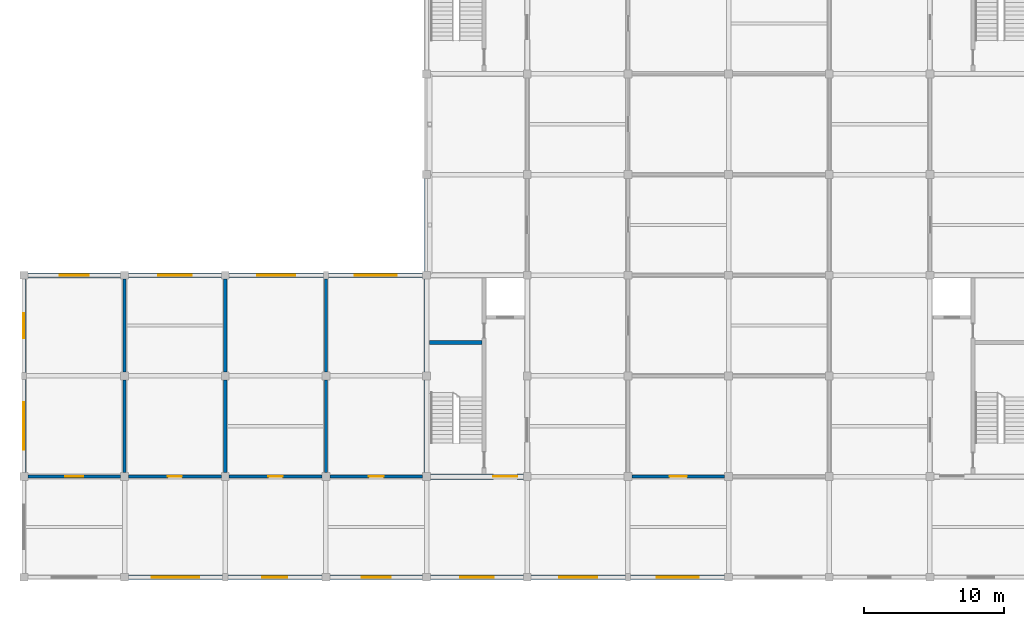
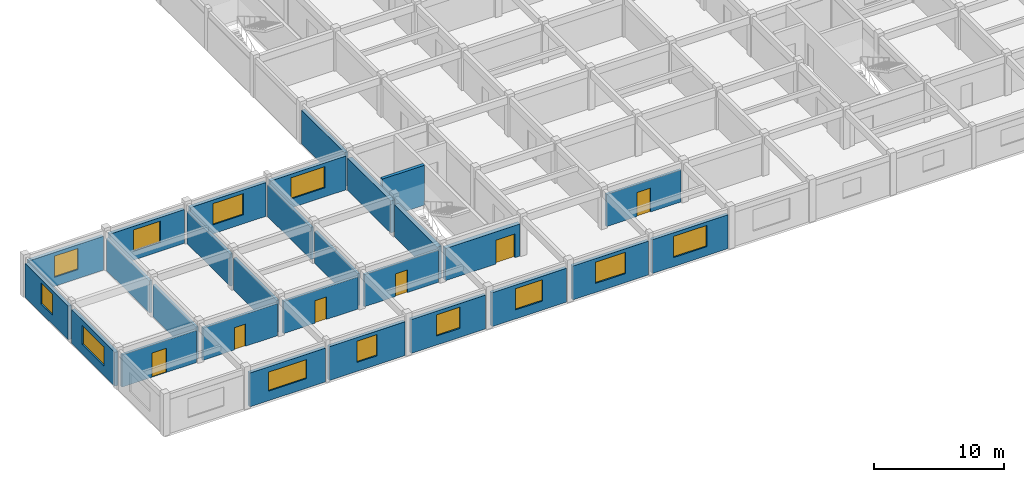
# One storey, part 5 of 10: 28 walls, 12 windows, 6 doors, 18 openings.
"""IFC4 building model written with IfcOpenShell, lengths in metres."""

from ifc_helpers import new_model, si_unit, direction, frame, frame_2d, origin, place, context, subcontext, project, spatial, rectangle, extrude, material, layer, layer_set, type_object, element, fill, save


model = new_model("IFC4")

# Units and contexts
model_context = context("Model", 3, precision=1e-05, world=origin(), true_north=direction((0.0, 1.0)))
body_context = subcontext(model_context, "Body", "Model", "MODEL_VIEW")
ifc_project = project(units=[si_unit("LENGTHUNIT", "METRE"), si_unit("AREAUNIT", "SQUARE_METRE"), si_unit("VOLUMEUNIT", "CUBIC_METRE"), si_unit("PLANEANGLEUNIT", "RADIAN"), si_unit("MASSUNIT", "GRAM", prefix="KILO")], contexts=[model_context])

# Site, building, storey
site_placement = place(None, origin())
site = spatial("IfcSite", under=ifc_project, at=site_placement, CompositionType="ELEMENT")
building_placement = place(site_placement, origin())
building = spatial("IfcBuilding", under=site, at=building_placement, Name="Cendaluz Park School", CompositionType="ELEMENT")
storey_placement = place(building_placement, frame((0.0, 0.0, 34.800048828125)))
storey = spatial("IfcBuildingStorey", under=building, at=storey_placement, Name="L08", CompositionType="ELEMENT", Elevation=34.800048828125)

# Wall, opening, door
ifc_material_1 = material(Name="Gypsum Plasterboard on Cold-Formed Stud", Category="gypsum")
ifc_layer_1 = layer(ifc_material_1, 0.199951171875)
ifc_layer_set_1 = layer_set([ifc_layer_1], Name="Gypsum Plasterboard on Cold-Formed Stud")
wall_type_1 = type_object("IfcWallType", Name="W-AC20", PredefinedType="PARTITIONING", material=ifc_layer_set_1)
wall_1_placement = place(storey_placement, frame((57.8798828125, 14.39990234375, 0.0), z_axis=(0.0, 0.0, 1.0), x_axis=(1.0, 0.0, 0.0)))
wall_1 = element("IfcWall", 1, at=wall_1_placement, inside=storey, type_object=wall_type_1, Name="WL-FI-BM8", PredefinedType="PARTITIONING", context=body_context, shape_type="SweptSolid", body=[
    extrude(rectangle(XDim=6.64013671875, YDim=0.199951171875, at=frame_2d((3.320068359375, 0.0))), origin(), (0.0, 0.0, 1.0), 3.030029296875),
])
opening_1_placement = place(wall_1_placement, frame((2.800048828125, 0.0, 0.0)))
opening_1 = element("IfcOpeningElement", 2, at=opening_1_placement, cuts=wall_1, Name="Opening DCL-03", PredefinedType="OPENING", context=body_context, shape_type="SweptSolid", body=[
    extrude(rectangle(XDim=1.0400390625, YDim=2.139892578125, at=frame_2d((0.52001953125, 1.06982421875))), frame((0.0, 0.112060546875, 0.0), z_axis=(0.0, -1.0, 0.0), x_axis=(1.0, 0.0, 0.0)), (0.0, 0.0, 1.0), 0.223876953125),
])
ifc_material_2 = material(Name="Solid Core Hardwood", Category="wood")
door_type_1 = type_object("IfcDoorType", Name="DCL-03", OperationType="NOTDEFINED", PredefinedType="DOOR", material=ifc_material_2)
door_1_placement = place(opening_1_placement, origin())
door_1 = element("IfcDoor", 3, at=door_1_placement, inside=storey, type_object=door_type_1, Name="D-L08-022", OperationType="SINGLE_SWING_LEFT", OverallHeight=2.139892578125, OverallWidth=1.0400390625, PredefinedType="DOOR", context=body_context, shape_type="SweptSolid", body=[
    extrude(rectangle(XDim=1.0400390625, YDim=2.139892578125, at=frame_2d((0.52001953125, 1.06982421875))), frame((0.0, 0.02490234375, 0.0), z_axis=(0.0, -1.0, 0.0), x_axis=(1.0, 0.0, 0.0)), (0.0, 0.0, 1.0), 0.050048828125),
])
fill(opening_1, door_1)

wall_2_placement = place(storey_placement, frame((79.47998046875, 14.39990234375, 0.0), z_axis=(0.0, 0.0, 1.0), x_axis=(1.0, 0.0, 0.0)))
wall_2 = element("IfcWall", 4, at=wall_2_placement, inside=storey, type_object=wall_type_1, Name="WL-FI-BN9", PredefinedType="PARTITIONING", context=body_context, shape_type="SweptSolid", body=[
    extrude(rectangle(XDim=6.64013671875, YDim=0.199951171875, at=frame_2d((3.320068359375, 0.0))), origin(), (0.0, 0.0, 1.0), 3.030029296875),
])
opening_2_placement = place(wall_2_placement, frame((2.699951171875, 0.0, 0.0)))
opening_2 = element("IfcOpeningElement", 5, at=opening_2_placement, cuts=wall_2, Name="Opening DCL-09", PredefinedType="OPENING", context=body_context, shape_type="SweptSolid", body=[
    extrude(rectangle(XDim=1.239990234375, YDim=2.260009765625, at=frame_2d((0.6201171875, 1.1298828125))), frame((0.0, 0.112060546875, 0.0), z_axis=(0.0, -1.0, 0.0), x_axis=(1.0, 0.0, 0.0)), (0.0, 0.0, 1.0), 0.223876953125),
])
door_type_2 = type_object("IfcDoorType", Name="DCL-09", OperationType="NOTDEFINED", PredefinedType="DOOR", material=ifc_material_2)
door_2_placement = place(opening_2_placement, origin())
door_2 = element("IfcDoor", 6, at=door_2_placement, inside=storey, type_object=door_type_2, Name="D-L08-028", OperationType="SINGLE_SWING_LEFT", OverallHeight=2.260009765625, OverallWidth=1.239990234375, PredefinedType="DOOR", context=body_context, shape_type="SweptSolid", body=[
    extrude(rectangle(XDim=1.239990234375, YDim=2.260009765625, at=frame_2d((0.6201171875, 1.1298828125))), frame((0.0, 0.02490234375, 0.0), z_axis=(0.0, -1.0, 0.0), x_axis=(1.0, 0.0, 0.0)), (0.0, 0.0, 1.0), 0.050048828125),
])
fill(opening_2, door_2)

# Wall, opening, window
ifc_material_3 = material(Name="Cross-laminated timber CLT C24", Category="wood")
ifc_layer_2 = layer(ifc_material_3, 0.300048828125)
ifc_layer_set_2 = layer_set([ifc_layer_2], Name="Cross-laminated timber CLT C24")
wall_type_2 = type_object("IfcWallType", Name="W-EX30", PredefinedType="SOLIDWALL", material=ifc_layer_set_2)
wall_3_placement = place(storey_placement, frame((36.0, 14.679931640625, 0.0), z_axis=(0.0, 0.0, 1.0), x_axis=(0.0, 1.0, 0.0)))
wall_3 = element("IfcWall", 7, at=wall_3_placement, inside=storey, type_object=wall_type_2, Name="WL-FI-AA2", PredefinedType="SOLIDWALL", context=body_context, shape_type="SweptSolid", body=[
    extrude(rectangle(XDim=6.66015625, YDim=0.300048828125, at=frame_2d((3.330078125, 0.0))), origin(), (0.0, 0.0, 1.0), 3.18994140625),
])
opening_3_placement = place(wall_3_placement, frame((1.6298828125, 0.0, 0.89990234375)))
opening_3 = element("IfcOpeningElement", 8, at=opening_3_placement, cuts=wall_3, Name="Opening WN-09", PredefinedType="OPENING", context=body_context, shape_type="SweptSolid", body=[
    extrude(rectangle(XDim=3.39990234375, YDim=1.800048828125, at=frame_2d((1.699951171875, 0.89990234375))), frame((0.0, 0.162109375, 0.0), z_axis=(0.0, -1.0, 0.0), x_axis=(1.0, 0.0, 0.0)), (0.0, 0.0, 1.0), 0.323974609375),
])
ifc_material_4 = material(Name="Tempered Low-E Double Glazing", Category="glass")
window_type_1 = type_object("IfcWindowType", Name="WN-09", PartitioningType="SINGLE_PANEL", PredefinedType="WINDOW", material=ifc_material_4)
window_1_placement = place(opening_3_placement, origin())
window_1 = element("IfcWindow", 9, at=window_1_placement, inside=storey, type_object=window_type_1, Name="WN-L08-003", OverallHeight=1.800048828125, OverallWidth=3.39990234375, PartitioningType="SINGLE_PANEL", PredefinedType="WINDOW", context=body_context, shape_type="SweptSolid", body=[
    extrude(rectangle(XDim=3.39990234375, YDim=1.800048828125, at=frame_2d((1.699951171875, 0.89990234375))), frame((0.0, 0.030029296875, 0.0), z_axis=(0.0, -1.0, 0.0), x_axis=(1.0, 0.0, 0.0)), (0.0, 0.0, 1.0), 0.06005859375),
])
fill(opening_3, window_1)

wall_4_placement = place(storey_placement, frame((36.280029296875, 28.800048828125, 0.0), z_axis=(0.0, 0.0, 1.0), x_axis=(1.0, 0.0, 0.0)))
wall_4 = element("IfcWall", 10, at=wall_4_placement, inside=storey, type_object=wall_type_2, Name="WL-FI-AA3", PredefinedType="SOLIDWALL", context=body_context, shape_type="SweptSolid", body=[
    extrude(rectangle(XDim=6.639892578125, YDim=0.300048828125, at=frame_2d((3.31982421875, 0.0))), origin(), (0.0, 0.0, 1.0), 3.18994140625),
])
opening_4_placement = place(wall_4_placement, frame((2.27001953125, 0.0, 0.85009765625)))
opening_4 = element("IfcOpeningElement", 11, at=opening_4_placement, cuts=wall_4, Name="Opening WN-11", PredefinedType="OPENING", context=body_context, shape_type="SweptSolid", body=[
    extrude(rectangle(XDim=2.10009765625, YDim=2.0, at=frame_2d((1.050048828125, 1.0))), frame((0.0, 0.162109375, 0.0), z_axis=(0.0, -1.0, 0.0), x_axis=(1.0, 0.0, 0.0)), (0.0, 0.0, 1.0), 0.323974609375),
])
window_type_2 = type_object("IfcWindowType", Name="WN-11", PartitioningType="SINGLE_PANEL", PredefinedType="WINDOW", material=ifc_material_4)
window_2_placement = place(opening_4_placement, origin())
window_2 = element("IfcWindow", 12, at=window_2_placement, inside=storey, type_object=window_type_2, Name="WN-L08-004", OverallHeight=2.0, OverallWidth=2.10009765625, PartitioningType="SINGLE_PANEL", PredefinedType="WINDOW", context=body_context, shape_type="SweptSolid", body=[
    extrude(rectangle(XDim=2.10009765625, YDim=2.0, at=frame_2d((1.050048828125, 1.0))), frame((0.0, 0.030029296875, 0.0), z_axis=(0.0, -1.0, 0.0), x_axis=(1.0, 0.0, 0.0)), (0.0, 0.0, 1.0), 0.06005859375),
])
fill(opening_4, window_2)

wall_5_placement = place(storey_placement, frame((36.0, 21.860107421875, 0.0), z_axis=(0.0, 0.0, 1.0), x_axis=(0.0, 1.0, 0.0)))
wall_5 = element("IfcWall", 13, at=wall_5_placement, inside=storey, type_object=wall_type_2, Name="WL-FI-AA4", PredefinedType="SOLIDWALL", context=body_context, shape_type="SweptSolid", body=[
    extrude(rectangle(XDim=6.659912109375, YDim=0.300048828125, at=frame_2d((3.330078125, 0.0))), origin(), (0.0, 0.0, 1.0), 3.18994140625),
])
opening_5_placement = place(wall_5_placement, frame((2.429931640625, 0.0, 0.85009765625)))
opening_5 = element("IfcOpeningElement", 14, at=opening_5_placement, cuts=wall_5, Name="Opening WN-10", PredefinedType="OPENING", context=body_context, shape_type="SweptSolid", body=[
    extrude(rectangle(XDim=1.800048828125, YDim=2.0, at=frame_2d((0.89990234375, 1.0))), frame((0.0, 0.162109375, 0.0), z_axis=(0.0, -1.0, 0.0), x_axis=(1.0, 0.0, 0.0)), (0.0, 0.0, 1.0), 0.323974609375),
])
window_type_3 = type_object("IfcWindowType", Name="WN-10", PartitioningType="SINGLE_PANEL", PredefinedType="WINDOW", material=ifc_material_4)
window_3_placement = place(opening_5_placement, origin())
window_3 = element("IfcWindow", 15, at=window_3_placement, inside=storey, type_object=window_type_3, Name="WN-L08-005", OverallHeight=2.0, OverallWidth=1.800048828125, PartitioningType="SINGLE_PANEL", PredefinedType="WINDOW", context=body_context, shape_type="SweptSolid", body=[
    extrude(rectangle(XDim=1.800048828125, YDim=2.0, at=frame_2d((0.89990234375, 1.0))), frame((0.0, 0.030029296875, 0.0), z_axis=(0.0, -1.0, 0.0), x_axis=(1.0, 0.0, 0.0)), (0.0, 0.0, 1.0), 0.06005859375),
])
fill(opening_5, window_3)

wall_6_placement = place(storey_placement, frame((43.47998046875, 7.199951171875, 0.0), z_axis=(0.0, 0.0, 1.0), x_axis=(1.0, 0.0, 0.0)))
wall_6 = element("IfcWall", 16, at=wall_6_placement, inside=storey, type_object=wall_type_2, Name="WL-FI-AA5", PredefinedType="SOLIDWALL", context=body_context, shape_type="SweptSolid", body=[
    extrude(rectangle(XDim=6.739990234375, YDim=0.300048828125, at=frame_2d((3.3701171875, 0.0))), origin(), (0.0, 0.0, 1.0), 3.18994140625),
])
opening_6_placement = place(wall_6_placement, frame((1.669921875, 0.0, 0.89990234375)))
opening_6 = element("IfcOpeningElement", 17, at=opening_6_placement, cuts=wall_6, Name="Opening WN-09", PredefinedType="OPENING", context=body_context, shape_type="SweptSolid", body=[
    extrude(rectangle(XDim=3.39990234375, YDim=1.800048828125, at=frame_2d((1.699951171875, 0.89990234375))), frame((0.0, 0.162109375, 0.0), z_axis=(0.0, -1.0, 0.0), x_axis=(1.0, 0.0, 0.0)), (0.0, 0.0, 1.0), 0.323974609375),
])
window_4_placement = place(opening_6_placement, origin())
window_4 = element("IfcWindow", 18, at=window_4_placement, inside=storey, type_object=window_type_1, Name="WN-L08-006", OverallHeight=1.800048828125, OverallWidth=3.39990234375, PartitioningType="SINGLE_PANEL", PredefinedType="WINDOW", context=body_context, shape_type="SweptSolid", body=[
    extrude(rectangle(XDim=3.39990234375, YDim=1.800048828125, at=frame_2d((1.699951171875, 0.89990234375))), frame((0.0, 0.030029296875, 0.0), z_axis=(0.0, -1.0, 0.0), x_axis=(1.0, 0.0, 0.0)), (0.0, 0.0, 1.0), 0.06005859375),
])
fill(opening_6, window_4)

wall_7_placement = place(storey_placement, frame((43.47998046875, 28.800048828125, 0.0), z_axis=(0.0, 0.0, 1.0), x_axis=(1.0, 0.0, 0.0)))
wall_7 = element("IfcWall", 19, at=wall_7_placement, inside=storey, type_object=wall_type_2, Name="WL-FI-AA6", PredefinedType="SOLIDWALL", context=body_context, shape_type="SweptSolid", body=[
    extrude(rectangle(XDim=6.64013671875, YDim=0.300048828125, at=frame_2d((3.320068359375, 0.0))), origin(), (0.0, 0.0, 1.0), 3.18994140625),
])
opening_7_placement = place(wall_7_placement, frame((2.1201171875, 0.0, 0.85009765625)))
opening_7 = element("IfcOpeningElement", 20, at=opening_7_placement, cuts=wall_7, Name="Opening WN-12", PredefinedType="OPENING", context=body_context, shape_type="SweptSolid", body=[
    extrude(rectangle(XDim=2.39990234375, YDim=2.0, at=frame_2d((1.199951171875, 1.0))), frame((0.0, 0.162109375, 0.0), z_axis=(0.0, -1.0, 0.0), x_axis=(1.0, 0.0, 0.0)), (0.0, 0.0, 1.0), 0.323974609375),
])
window_type_4 = type_object("IfcWindowType", Name="WN-12", PartitioningType="SINGLE_PANEL", PredefinedType="WINDOW", material=ifc_material_4)
window_5_placement = place(opening_7_placement, origin())
window_5 = element("IfcWindow", 21, at=window_5_placement, inside=storey, type_object=window_type_4, Name="WN-L08-007", OverallHeight=2.0, OverallWidth=2.39990234375, PartitioningType="SINGLE_PANEL", PredefinedType="WINDOW", context=body_context, shape_type="SweptSolid", body=[
    extrude(rectangle(XDim=2.39990234375, YDim=2.0, at=frame_2d((1.199951171875, 1.0))), frame((0.0, 0.030029296875, 0.0), z_axis=(0.0, -1.0, 0.0), x_axis=(1.0, 0.0, 0.0)), (0.0, 0.0, 1.0), 0.06005859375),
])
fill(opening_7, window_5)

wall_8_placement = place(storey_placement, frame((50.580078125, 7.199951171875, 0.0), z_axis=(0.0, 0.0, 1.0), x_axis=(1.0, 0.0, 0.0)))
wall_8 = element("IfcWall", 22, at=wall_8_placement, inside=storey, type_object=wall_type_2, Name="WL-FI-AA7", PredefinedType="SOLIDWALL", context=body_context, shape_type="SweptSolid", body=[
    extrude(rectangle(XDim=6.739990234375, YDim=0.300048828125, at=frame_2d((3.3701171875, 0.0))), origin(), (0.0, 0.0, 1.0), 3.18994140625),
])
opening_8_placement = place(wall_8_placement, frame((2.469970703125, 0.0, 0.85009765625)))
opening_8 = element("IfcOpeningElement", 23, at=opening_8_placement, cuts=wall_8, Name="Opening WN-10", PredefinedType="OPENING", context=body_context, shape_type="SweptSolid", body=[
    extrude(rectangle(XDim=1.800048828125, YDim=2.0, at=frame_2d((0.89990234375, 1.0))), frame((0.0, 0.162109375, 0.0), z_axis=(0.0, -1.0, 0.0), x_axis=(1.0, 0.0, 0.0)), (0.0, 0.0, 1.0), 0.323974609375),
])
window_6_placement = place(opening_8_placement, origin())
window_6 = element("IfcWindow", 24, at=window_6_placement, inside=storey, type_object=window_type_3, Name="WN-L08-008", OverallHeight=2.0, OverallWidth=1.800048828125, PartitioningType="SINGLE_PANEL", PredefinedType="WINDOW", context=body_context, shape_type="SweptSolid", body=[
    extrude(rectangle(XDim=1.800048828125, YDim=2.0, at=frame_2d((0.89990234375, 1.0))), frame((0.0, 0.030029296875, 0.0), z_axis=(0.0, -1.0, 0.0), x_axis=(1.0, 0.0, 0.0)), (0.0, 0.0, 1.0), 0.06005859375),
])
fill(opening_8, window_6)

wall_9_placement = place(storey_placement, frame((50.679931640625, 28.800048828125, 0.0), z_axis=(0.0, 0.0, 1.0), x_axis=(1.0, 0.0, 0.0)))
wall_9 = element("IfcWall", 25, at=wall_9_placement, inside=storey, type_object=wall_type_2, Name="WL-FI-AA8", PredefinedType="SOLIDWALL", context=body_context, shape_type="SweptSolid", body=[
    extrude(rectangle(XDim=6.739990234375, YDim=0.300048828125, at=frame_2d((3.3701171875, 0.0))), origin(), (0.0, 0.0, 1.0), 3.18994140625),
])
opening_9_placement = place(wall_9_placement, frame((2.02001953125, 0.0, 0.85009765625)))
opening_9 = element("IfcOpeningElement", 26, at=opening_9_placement, cuts=wall_9, Name="Opening WN-13", PredefinedType="OPENING", context=body_context, shape_type="SweptSolid", body=[
    extrude(rectangle(XDim=2.699951171875, YDim=2.0, at=frame_2d((1.35009765625, 1.0))), frame((0.0, 0.162109375, 0.0), z_axis=(0.0, -1.0, 0.0), x_axis=(1.0, 0.0, 0.0)), (0.0, 0.0, 1.0), 0.323974609375),
])
window_type_5 = type_object("IfcWindowType", Name="WN-13", PartitioningType="SINGLE_PANEL", PredefinedType="WINDOW", material=ifc_material_4)
window_7_placement = place(opening_9_placement, origin())
window_7 = element("IfcWindow", 27, at=window_7_placement, inside=storey, type_object=window_type_5, Name="WN-L08-009", OverallHeight=2.0, OverallWidth=2.699951171875, PartitioningType="SINGLE_PANEL", PredefinedType="WINDOW", context=body_context, shape_type="SweptSolid", body=[
    extrude(rectangle(XDim=2.699951171875, YDim=2.0, at=frame_2d((1.35009765625, 1.0))), frame((0.0, 0.030029296875, 0.0), z_axis=(0.0, -1.0, 0.0), x_axis=(1.0, 0.0, 0.0)), (0.0, 0.0, 1.0), 0.06005859375),
])
fill(opening_9, window_7)

wall_10_placement = place(storey_placement, frame((57.8798828125, 7.199951171875, 0.0), z_axis=(0.0, 0.0, 1.0), x_axis=(1.0, 0.0, 0.0)))
wall_10 = element("IfcWall", 28, at=wall_10_placement, inside=storey, type_object=wall_type_2, Name="WL-FI-AA9", PredefinedType="SOLIDWALL", context=body_context, shape_type="SweptSolid", body=[
    extrude(rectangle(XDim=6.64013671875, YDim=0.300048828125, at=frame_2d((3.320068359375, 0.0))), origin(), (0.0, 0.0, 1.0), 3.18994140625),
])
opening_10_placement = place(wall_10_placement, frame((2.27001953125, 0.0, 0.85009765625)))
opening_10 = element("IfcOpeningElement", 29, at=opening_10_placement, cuts=wall_10, Name="Opening WN-11", PredefinedType="OPENING", context=body_context, shape_type="SweptSolid", body=[
    extrude(rectangle(XDim=2.10009765625, YDim=2.0, at=frame_2d((1.050048828125, 1.0))), frame((0.0, 0.162109375, 0.0), z_axis=(0.0, -1.0, 0.0), x_axis=(1.0, 0.0, 0.0)), (0.0, 0.0, 1.0), 0.323974609375),
])
window_8_placement = place(opening_10_placement, origin())
window_8 = element("IfcWindow", 30, at=window_8_placement, inside=storey, type_object=window_type_2, Name="WN-L08-010", OverallHeight=2.0, OverallWidth=2.10009765625, PartitioningType="SINGLE_PANEL", PredefinedType="WINDOW", context=body_context, shape_type="SweptSolid", body=[
    extrude(rectangle(XDim=2.10009765625, YDim=2.0, at=frame_2d((1.050048828125, 1.0))), frame((0.0, 0.030029296875, 0.0), z_axis=(0.0, -1.0, 0.0), x_axis=(1.0, 0.0, 0.0)), (0.0, 0.0, 1.0), 0.06005859375),
])
fill(opening_10, window_8)

wall_11_placement = place(storey_placement, frame((57.780029296875, 28.800048828125, 0.0), z_axis=(0.0, 0.0, 1.0), x_axis=(1.0, 0.0, 0.0)))
wall_11 = element("IfcWall", 31, at=wall_11_placement, inside=storey, type_object=wall_type_2, Name="WL-FI-AB0", PredefinedType="SOLIDWALL", context=body_context, shape_type="SweptSolid", body=[
    extrude(rectangle(XDim=6.739990234375, YDim=0.300048828125, at=frame_2d((3.3701171875, 0.0))), origin(), (0.0, 0.0, 1.0), 3.18994140625),
])
opening_11_placement = place(wall_11_placement, frame((1.8701171875, 0.0, 0.85009765625)))
opening_11 = element("IfcOpeningElement", 32, at=opening_11_placement, cuts=wall_11, Name="Opening WN-14", PredefinedType="OPENING", context=body_context, shape_type="SweptSolid", body=[
    extrude(rectangle(XDim=3.0, YDim=2.0, at=frame_2d((1.5, 1.0))), frame((0.0, 0.162109375, 0.0), z_axis=(0.0, -1.0, 0.0), x_axis=(1.0, 0.0, 0.0)), (0.0, 0.0, 1.0), 0.323974609375),
])
window_type_6 = type_object("IfcWindowType", Name="WN-14", PartitioningType="SINGLE_PANEL", PredefinedType="WINDOW", material=ifc_material_4)
window_9_placement = place(opening_11_placement, origin())
window_9 = element("IfcWindow", 33, at=window_9_placement, inside=storey, type_object=window_type_6, Name="WN-L08-011", OverallHeight=2.0, OverallWidth=3.0, PartitioningType="SINGLE_PANEL", PredefinedType="WINDOW", context=body_context, shape_type="SweptSolid", body=[
    extrude(rectangle(XDim=3.0, YDim=2.0, at=frame_2d((1.5, 1.0))), frame((0.0, 0.030029296875, 0.0), z_axis=(0.0, -1.0, 0.0), x_axis=(1.0, 0.0, 0.0)), (0.0, 0.0, 1.0), 0.06005859375),
])
fill(opening_11, window_9)

wall_12_placement = place(storey_placement, frame((65.080078125, 7.199951171875, 0.0), z_axis=(0.0, 0.0, 1.0), x_axis=(1.0, 0.0, 0.0)))
wall_12 = element("IfcWall", 34, at=wall_12_placement, inside=storey, type_object=wall_type_2, Name="WL-FI-AB1", PredefinedType="SOLIDWALL", context=body_context, shape_type="SweptSolid", body=[
    extrude(rectangle(XDim=6.639892578125, YDim=0.300048828125, at=frame_2d((3.31982421875, 0.0))), origin(), (0.0, 0.0, 1.0), 3.18994140625),
])
opening_12_placement = place(wall_12_placement, frame((2.1201171875, 0.0, 0.85009765625)))
opening_12 = element("IfcOpeningElement", 35, at=opening_12_placement, cuts=wall_12, Name="Opening WN-12", PredefinedType="OPENING", context=body_context, shape_type="SweptSolid", body=[
    extrude(rectangle(XDim=2.39990234375, YDim=2.0, at=frame_2d((1.199951171875, 1.0))), frame((0.0, 0.162109375, 0.0), z_axis=(0.0, -1.0, 0.0), x_axis=(1.0, 0.0, 0.0)), (0.0, 0.0, 1.0), 0.323974609375),
])
window_10_placement = place(opening_12_placement, origin())
window_10 = element("IfcWindow", 36, at=window_10_placement, inside=storey, type_object=window_type_4, Name="WN-L08-012", OverallHeight=2.0, OverallWidth=2.39990234375, PartitioningType="SINGLE_PANEL", PredefinedType="WINDOW", context=body_context, shape_type="SweptSolid", body=[
    extrude(rectangle(XDim=2.39990234375, YDim=2.0, at=frame_2d((1.199951171875, 1.0))), frame((0.0, 0.030029296875, 0.0), z_axis=(0.0, -1.0, 0.0), x_axis=(1.0, 0.0, 0.0)), (0.0, 0.0, 1.0), 0.06005859375),
])
fill(opening_12, window_10)

# Wall
wall_13_placement = place(storey_placement, frame((64.800048828125, 29.080078125, 0.0), z_axis=(0.0, 0.0, 1.0), x_axis=(0.0, 1.0, 0.0)))
element("IfcWall", 37, at=wall_13_placement, inside=storey, type_object=wall_type_2, Name="WL-FI-AB2", PredefinedType="SOLIDWALL", context=body_context, shape_type="SweptSolid", body=[
    extrude(rectangle(XDim=6.639892578125, YDim=0.300048828125, at=frame_2d((3.31982421875, 0.0))), origin(), (0.0, 0.0, 1.0), 3.18994140625),
])

# Wall, opening, window
wall_14_placement = place(storey_placement, frame((72.280029296875, 7.199951171875, 0.0), z_axis=(0.0, 0.0, 1.0), x_axis=(1.0, 0.0, 0.0)))
wall_14 = element("IfcWall", 38, at=wall_14_placement, inside=storey, type_object=wall_type_2, Name="WL-FI-AB6", PredefinedType="SOLIDWALL", context=body_context, shape_type="SweptSolid", body=[
    extrude(rectangle(XDim=6.739990234375, YDim=0.300048828125, at=frame_2d((3.3701171875, 0.0))), origin(), (0.0, 0.0, 1.0), 3.18994140625),
])
opening_13_placement = place(wall_14_placement, frame((2.02001953125, 0.0, 0.85009765625)))
opening_13 = element("IfcOpeningElement", 39, at=opening_13_placement, cuts=wall_14, Name="Opening WN-13", PredefinedType="OPENING", context=body_context, shape_type="SweptSolid", body=[
    extrude(rectangle(XDim=2.699951171875, YDim=2.0, at=frame_2d((1.35009765625, 1.0))), frame((0.0, 0.162109375, 0.0), z_axis=(0.0, -1.0, 0.0), x_axis=(1.0, 0.0, 0.0)), (0.0, 0.0, 1.0), 0.323974609375),
])
window_11_placement = place(opening_13_placement, origin())
window_11 = element("IfcWindow", 40, at=window_11_placement, inside=storey, type_object=window_type_5, Name="WN-L08-015", OverallHeight=2.0, OverallWidth=2.699951171875, PartitioningType="SINGLE_PANEL", PredefinedType="WINDOW", context=body_context, shape_type="SweptSolid", body=[
    extrude(rectangle(XDim=2.699951171875, YDim=2.0, at=frame_2d((1.35009765625, 1.0))), frame((0.0, 0.030029296875, 0.0), z_axis=(0.0, -1.0, 0.0), x_axis=(1.0, 0.0, 0.0)), (0.0, 0.0, 1.0), 0.06005859375),
])
fill(opening_13, window_11)

wall_15_placement = place(storey_placement, frame((79.3798828125, 7.199951171875, 0.0), z_axis=(0.0, 0.0, 1.0), x_axis=(1.0, 0.0, 0.0)))
wall_15 = element("IfcWall", 41, at=wall_15_placement, inside=storey, type_object=wall_type_2, Name="WL-FI-AB8", PredefinedType="SOLIDWALL", context=body_context, shape_type="SweptSolid", body=[
    extrude(rectangle(XDim=6.740234375, YDim=0.300048828125, at=frame_2d((3.3701171875, 0.0))), origin(), (0.0, 0.0, 1.0), 3.18994140625),
])
opening_14_placement = place(wall_15_placement, frame((1.8701171875, 0.0, 0.85009765625)))
opening_14 = element("IfcOpeningElement", 42, at=opening_14_placement, cuts=wall_15, Name="Opening WN-14", PredefinedType="OPENING", context=body_context, shape_type="SweptSolid", body=[
    extrude(rectangle(XDim=3.0, YDim=2.0, at=frame_2d((1.5, 1.0))), frame((0.0, 0.162109375, 0.0), z_axis=(0.0, -1.0, 0.0), x_axis=(1.0, 0.0, 0.0)), (0.0, 0.0, 1.0), 0.323974609375),
])
window_12_placement = place(opening_14_placement, origin())
window_12 = element("IfcWindow", 43, at=window_12_placement, inside=storey, type_object=window_type_6, Name="WN-L08-017", OverallHeight=2.0, OverallWidth=3.0, PartitioningType="SINGLE_PANEL", PredefinedType="WINDOW", context=body_context, shape_type="SweptSolid", body=[
    extrude(rectangle(XDim=3.0, YDim=2.0, at=frame_2d((1.5, 1.0))), frame((0.0, 0.030029296875, 0.0), z_axis=(0.0, -1.0, 0.0), x_axis=(1.0, 0.0, 0.0)), (0.0, 0.0, 1.0), 0.06005859375),
])
fill(opening_14, window_12)

# Wall
ifc_material_5 = material(Name="Concrete C40/50", Category="concrete")
ifc_layer_3 = layer(ifc_material_5, 0.280029296875)
ifc_layer_set_3 = layer_set([ifc_layer_3], Name="Concrete C40/50")
wall_type_3 = type_object("IfcWallType", Name="W-FW28", PredefinedType="SHEAR", material=ifc_layer_set_3)
wall_16_placement = place(storey_placement, frame((65.0, 23.97998046875, 0.0), z_axis=(0.0, 0.0, 1.0), x_axis=(1.0, 0.0, 0.0)))
element("IfcWall", 44, at=wall_16_placement, inside=storey, type_object=wall_type_3, Name="WL-FI-BJ0", PredefinedType="SHEAR", context=body_context, shape_type="SweptSolid", body=[
    extrude(rectangle(XDim=3.780029296875, YDim=0.280029296875, at=frame_2d((1.89013671875, 0.0))), origin(), (0.0, 0.0, 1.0), 3.760009765625),
])

# Wall, opening, door
ifc_layer_4 = layer(ifc_material_1, 0.219970703125)
ifc_layer_set_4 = layer_set([ifc_layer_4], Name="Gypsum Plasterboard on Cold-Formed Stud")
wall_type_4 = type_object("IfcWallType", Name="W-LB22", PredefinedType="PARTITIONING", material=ifc_layer_set_4)
wall_17_placement = place(storey_placement, frame((36.280029296875, 14.39990234375, 0.0), z_axis=(0.0, 0.0, 1.0), x_axis=(1.0, 0.0, 0.0)))
wall_17 = element("IfcWall", 45, at=wall_17_placement, inside=storey, type_object=wall_type_4, Name="WL-FI-BL9", PredefinedType="PARTITIONING", context=body_context, shape_type="SweptSolid", body=[
    extrude(rectangle(XDim=6.639892578125, YDim=0.219970703125, at=frame_2d((3.31982421875, 0.0))), origin(), (0.0, 0.0, 1.0), 3.030029296875),
])
opening_15_placement = place(wall_17_placement, frame((2.679931640625, 0.0, 0.0)))
opening_15 = element("IfcOpeningElement", 46, at=opening_15_placement, cuts=wall_17, Name="Opening DCL-10", PredefinedType="OPENING", context=body_context, shape_type="SweptSolid", body=[
    extrude(rectangle(XDim=1.280029296875, YDim=2.280029296875, at=frame_2d((0.64013671875, 1.14013671875))), frame((0.0, 0.1220703125, 0.0), z_axis=(0.0, -1.0, 0.0), x_axis=(1.0, 0.0, 0.0)), (0.0, 0.0, 1.0), 0.243896484375),
])
door_type_3 = type_object("IfcDoorType", Name="DCL-10", OperationType="NOTDEFINED", PredefinedType="DOOR", material=ifc_material_2)
door_3_placement = place(opening_15_placement, frame((1.280029296875, 0.0, 0.0), z_axis=(0.0, 0.0, 1.0), x_axis=(-1.0, 0.0, 0.0)))
door_3 = element("IfcDoor", 47, at=door_3_placement, inside=storey, type_object=door_type_3, Name="D-L08-019", OperationType="SINGLE_SWING_RIGHT", OverallHeight=2.280029296875, OverallWidth=1.280029296875, PredefinedType="DOOR", context=body_context, shape_type="SweptSolid", body=[
    extrude(rectangle(XDim=1.280029296875, YDim=2.280029296875, at=frame_2d((0.64013671875, 1.14013671875))), frame((0.0, 0.02490234375, 0.0), z_axis=(0.0, -1.0, 0.0), x_axis=(1.0, 0.0, 0.0)), (0.0, 0.0, 1.0), 0.050048828125),
])
fill(opening_15, door_3)

# Walls
for number, where, z_axis, x_axis, name in (
    (48, (43.199951171875, 14.679931640625, 0.0), (0.0, 0.0, 1.0), (0.0, 1.0, 0.0), "WL-FI-BM0"),
    (49, (43.199951171875, 21.8798828125, 0.0), (0.0, 0.0, 1.0), (0.0, 1.0, 0.0), "WL-FI-BM1"),
):
    element("IfcWall", number, at=place(storey_placement, frame(where, z_axis=z_axis, x_axis=x_axis)), inside=storey, type_object=wall_type_4, Name=name, PredefinedType="PARTITIONING", context=body_context, shape_type="SweptSolid", body=[
        extrude(rectangle(XDim=6.64013671875, YDim=0.219970703125, at=frame_2d((3.320068359375, 0.0))), origin(), (0.0, 0.0, 1.0), 3.030029296875),
    ])

# Wall, opening, door
wall_18_placement = place(storey_placement, frame((43.47998046875, 14.39990234375, 0.0), z_axis=(0.0, 0.0, 1.0), x_axis=(1.0, 0.0, 0.0)))
wall_18 = element("IfcWall", 50, at=wall_18_placement, inside=storey, type_object=wall_type_4, Name="WL-FI-BM2", PredefinedType="PARTITIONING", context=body_context, shape_type="SweptSolid", body=[
    extrude(rectangle(XDim=6.64013671875, YDim=0.219970703125, at=frame_2d((3.320068359375, 0.0))), origin(), (0.0, 0.0, 1.0), 3.030029296875),
])
opening_16_placement = place(wall_18_placement, frame((2.820068359375, 0.0, 0.0)))
opening_16 = element("IfcOpeningElement", 51, at=opening_16_placement, cuts=wall_18, Name="Opening DCL-01", PredefinedType="OPENING", context=body_context, shape_type="SweptSolid", body=[
    extrude(rectangle(XDim=1.0, YDim=2.10009765625, at=frame_2d((0.5, 1.050048828125))), frame((0.0, 0.1220703125, 0.0), z_axis=(0.0, -1.0, 0.0), x_axis=(1.0, 0.0, 0.0)), (0.0, 0.0, 1.0), 0.243896484375),
])
door_type_4 = type_object("IfcDoorType", Name="DCL-01", OperationType="NOTDEFINED", PredefinedType="DOOR", material=ifc_material_2)
door_4_placement = place(opening_16_placement, frame((1.0, 0.0, 0.0), z_axis=(0.0, 0.0, 1.0), x_axis=(-1.0, 0.0, 0.0)))
door_4 = element("IfcDoor", 52, at=door_4_placement, inside=storey, type_object=door_type_4, Name="D-L08-020", OperationType="SINGLE_SWING_LEFT", OverallHeight=2.10009765625, OverallWidth=1.0, PredefinedType="DOOR", context=body_context, shape_type="SweptSolid", body=[
    extrude(rectangle(XDim=1.0, YDim=2.10009765625, at=frame_2d((0.5, 1.050048828125))), frame((0.0, 0.02490234375, 0.0), z_axis=(0.0, -1.0, 0.0), x_axis=(1.0, 0.0, 0.0)), (0.0, 0.0, 1.0), 0.050048828125),
])
fill(opening_16, door_4)

# Walls
for number, where, z_axis, x_axis, name in (
    (53, (50.39990234375, 14.679931640625, 0.0), (0.0, 0.0, 1.0), (0.0, 1.0, 0.0), "WL-FI-BM3"),
    (54, (50.39990234375, 21.8798828125, 0.0), (0.0, 0.0, 1.0), (0.0, 1.0, 0.0), "WL-FI-BM4"),
):
    element("IfcWall", number, at=place(storey_placement, frame(where, z_axis=z_axis, x_axis=x_axis)), inside=storey, type_object=wall_type_4, Name=name, PredefinedType="PARTITIONING", context=body_context, shape_type="SweptSolid", body=[
        extrude(rectangle(XDim=6.64013671875, YDim=0.219970703125, at=frame_2d((3.320068359375, 0.0))), origin(), (0.0, 0.0, 1.0), 3.030029296875),
    ])

# Wall, opening, door
wall_19_placement = place(storey_placement, frame((50.679931640625, 14.39990234375, 0.0), z_axis=(0.0, 0.0, 1.0), x_axis=(1.0, 0.0, 0.0)))
wall_19 = element("IfcWall", 55, at=wall_19_placement, inside=storey, type_object=wall_type_4, Name="WL-FI-BM5", PredefinedType="PARTITIONING", context=body_context, shape_type="SweptSolid", body=[
    extrude(rectangle(XDim=6.64013671875, YDim=0.219970703125, at=frame_2d((3.320068359375, 0.0))), origin(), (0.0, 0.0, 1.0), 3.030029296875),
])
opening_17_placement = place(wall_19_placement, frame((2.81005859375, 0.0, 0.0)))
opening_17 = element("IfcOpeningElement", 56, at=opening_17_placement, cuts=wall_19, Name="Opening DCL-02", PredefinedType="OPENING", context=body_context, shape_type="SweptSolid", body=[
    extrude(rectangle(XDim=1.02001953125, YDim=2.1201171875, at=frame_2d((0.510009765625, 1.06005859375))), frame((0.0, 0.1220703125, 0.0), z_axis=(0.0, -1.0, 0.0), x_axis=(1.0, 0.0, 0.0)), (0.0, 0.0, 1.0), 0.243896484375),
])
door_type_5 = type_object("IfcDoorType", Name="DCL-02", OperationType="NOTDEFINED", PredefinedType="DOOR", material=ifc_material_2)
door_5_placement = place(opening_17_placement, frame((1.02001953125, 0.0, 0.0), z_axis=(0.0, 0.0, 1.0), x_axis=(-1.0, 0.0, 0.0)))
door_5 = element("IfcDoor", 57, at=door_5_placement, inside=storey, type_object=door_type_5, Name="D-L08-021", OperationType="SINGLE_SWING_RIGHT", OverallHeight=2.1201171875, OverallWidth=1.02001953125, PredefinedType="DOOR", context=body_context, shape_type="SweptSolid", body=[
    extrude(rectangle(XDim=1.02001953125, YDim=2.1201171875, at=frame_2d((0.510009765625, 1.06005859375))), frame((0.0, 0.02490234375, 0.0), z_axis=(0.0, -1.0, 0.0), x_axis=(1.0, 0.0, 0.0)), (0.0, 0.0, 1.0), 0.050048828125),
])
fill(opening_17, door_5)

# Walls
wall_20_placement = place(storey_placement, frame((57.60009765625, 14.679931640625, 0.0), z_axis=(0.0, 0.0, 1.0), x_axis=(0.0, 1.0, 0.0)))
element("IfcWall", 58, at=wall_20_placement, inside=storey, type_object=wall_type_4, Name="WL-FI-BM6", PredefinedType="PARTITIONING", context=body_context, shape_type="SweptSolid", body=[
    extrude(rectangle(XDim=6.64013671875, YDim=0.219970703125, at=frame_2d((3.320068359375, 0.0))), origin(), (0.0, 0.0, 1.0), 3.030029296875),
])
wall_21_placement = place(storey_placement, frame((57.60009765625, 21.8798828125, 0.0), z_axis=(0.0, 0.0, 1.0), x_axis=(0.0, 1.0, 0.0)))
element("IfcWall", 59, at=wall_21_placement, inside=storey, type_object=wall_type_4, Name="WL-FI-BM7", PredefinedType="PARTITIONING", context=body_context, shape_type="SweptSolid", body=[
    extrude(rectangle(XDim=6.66015625, YDim=0.219970703125, at=frame_2d((3.330078125, 0.0))), origin(), (0.0, 0.0, 1.0), 3.030029296875),
])
ifc_layer_5 = layer(ifc_material_5, 0.3798828125)
ifc_layer_set_5 = layer_set([ifc_layer_5], Name="Concrete C40/50")
wall_type_5 = type_object("IfcWallType", Name="W-SH38", PredefinedType="SHEAR", material=ifc_layer_set_5)
for number, where, z_axis, x_axis, name in (
    (60, (64.800048828125, 14.679931640625, 0.0), (0.0, 0.0, 1.0), (0.0, 1.0, 0.0), "WL-FI-BI3"),
    (61, (64.800048828125, 21.8798828125, 0.0), (0.0, 0.0, 1.0), (0.0, 1.0, 0.0), "WL-FI-BI4"),
):
    element("IfcWall", number, at=place(storey_placement, frame(where, z_axis=z_axis, x_axis=x_axis)), inside=storey, type_object=wall_type_5, Name=name, PredefinedType="SHEAR", context=body_context, shape_type="SweptSolid", body=[
        extrude(rectangle(XDim=6.64013671875, YDim=0.3798828125, at=frame_2d((3.320068359375, 0.0))), origin(), (0.0, 0.0, 1.0), 3.030029296875),
    ])

# Wall, opening, door
wall_22_placement = place(storey_placement, frame((65.080078125, 14.39990234375, 0.0), z_axis=(0.0, 0.0, 1.0), x_axis=(1.0, 0.0, 0.0)))
wall_22 = element("IfcWall", 62, at=wall_22_placement, inside=storey, type_object=wall_type_5, Name="WL-FI-BI7", PredefinedType="SHEAR", context=body_context, shape_type="SweptSolid", body=[
    extrude(rectangle(XDim=6.639892578125, YDim=0.3798828125, at=frame_2d((3.31982421875, 0.0))), origin(), (0.0, 0.0, 1.0), 3.030029296875),
])
opening_18_placement = place(wall_22_placement, frame((4.489990234375, 0.0, 0.0)))
opening_18 = element("IfcOpeningElement", 63, at=opening_18_placement, cuts=wall_22, Name="Opening DLB-02", PredefinedType="OPENING", context=body_context, shape_type="SweptSolid", body=[
    extrude(rectangle(XDim=1.699951171875, YDim=2.25, at=frame_2d((0.85009765625, 1.125))), frame((0.0, 0.201904296875, 0.0), z_axis=(0.0, -1.0, 0.0), x_axis=(1.0, 0.0, 0.0)), (0.0, 0.0, 1.0), 0.40380859375),
])
door_type_6 = type_object("IfcDoorType", Name="DLB-02", OperationType="DOUBLE_DOOR_SINGLE_SWING", PredefinedType="DOOR", material=ifc_material_2)
door_6_placement = place(opening_18_placement, origin())
door_6 = element("IfcDoor", 64, at=door_6_placement, inside=storey, type_object=door_type_6, Name="D-L08-002", OperationType="DOUBLE_DOOR_SINGLE_SWING", OverallHeight=2.25, OverallWidth=1.699951171875, PredefinedType="DOOR", context=body_context, shape_type="SweptSolid", body=[
    extrude(rectangle(XDim=1.699951171875, YDim=2.25, at=frame_2d((0.85009765625, 1.125))), frame((0.0, 0.02490234375, 0.0), z_axis=(0.0, -1.0, 0.0), x_axis=(1.0, 0.0, 0.0)), (0.0, 0.0, 1.0), 0.050048828125),
])
fill(opening_18, door_6)

save(model, "model.ifc")
